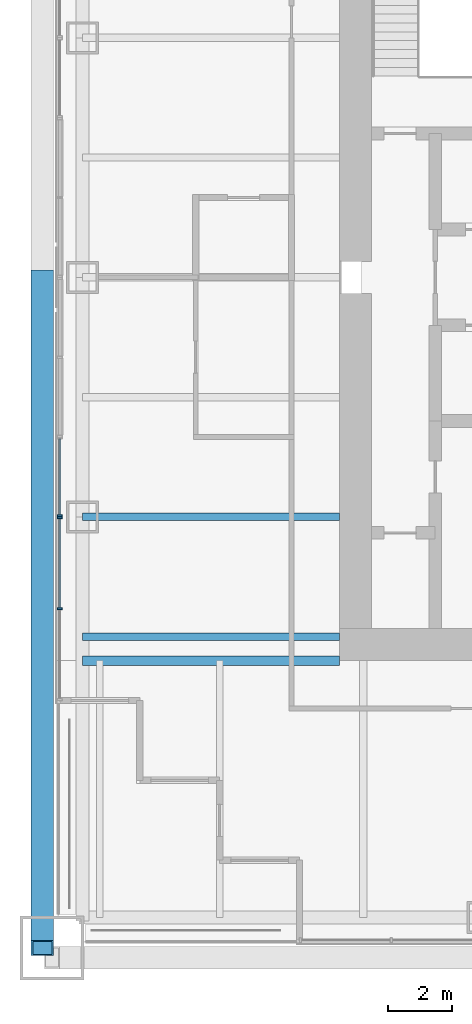
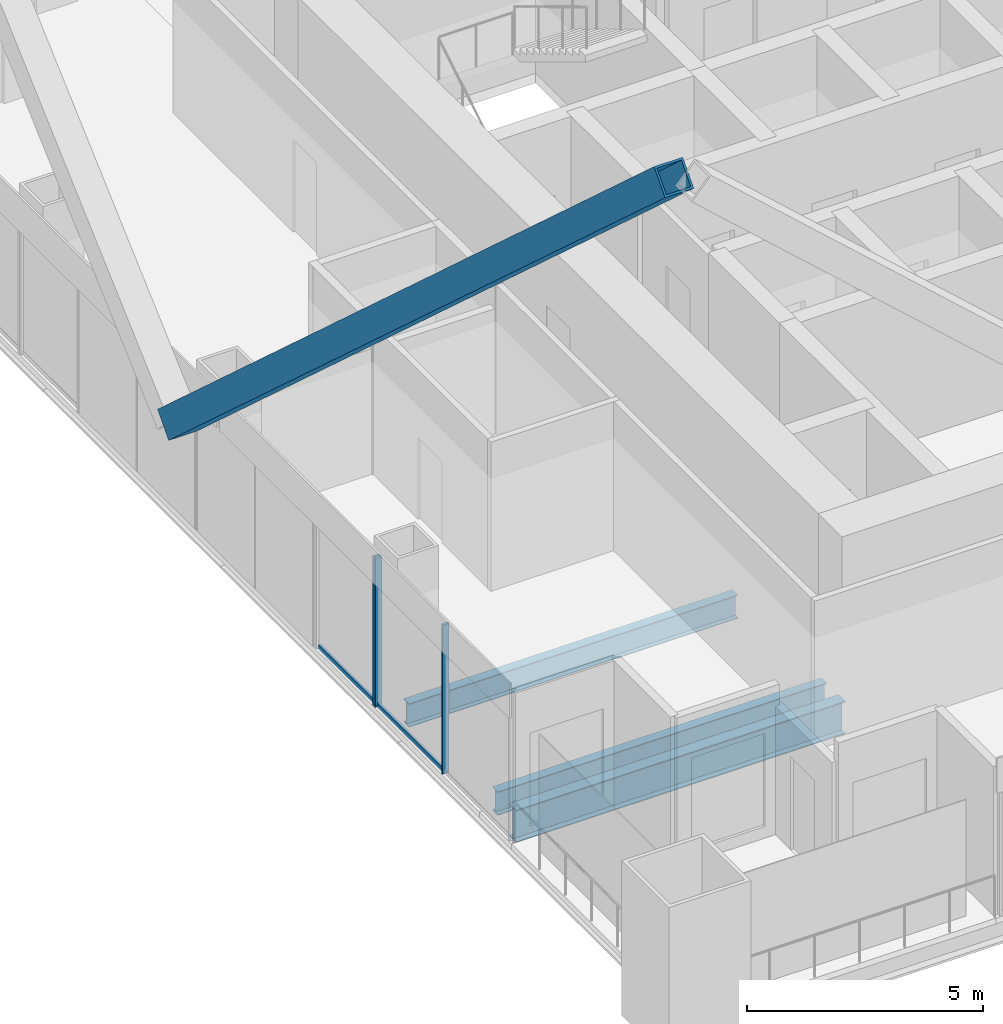
# One storey, part 3 of 19: 6 members, 3 beams, 2 elements without a shape of their own.
"""IFC4 building model written with IfcOpenShell, lengths in metres."""

from ifc_helpers import new_model, si_unit, direction, frame, origin, origin_2d, place, context, subcontext, project, spatial, rectangle, hollow_rectangle, i_section, extrude, material, material_profile, profile_set, type_object, element, aggregate, save


model = new_model("IFC4")

# Units and contexts
model_context = context("Model", 3, precision=1e-05, world=origin(), true_north=direction((0.0, 1.0)))
body_context = subcontext(model_context, "Body", "Model", "MODEL_VIEW")
ifc_project = project(units=[si_unit("LENGTHUNIT", "METRE"), si_unit("AREAUNIT", "SQUARE_METRE"), si_unit("VOLUMEUNIT", "CUBIC_METRE"), si_unit("PLANEANGLEUNIT", "RADIAN"), si_unit("MASSUNIT", "GRAM", prefix="KILO")], contexts=[model_context])

# Site, building, storey
site_placement = place(None, origin())
site = spatial("IfcSite", under=ifc_project, at=site_placement, CompositionType="ELEMENT")
building_placement = place(site_placement, origin())
building = spatial("IfcBuilding", under=site, at=building_placement, Name="Tarangal Relay Tower", CompositionType="ELEMENT")
storey_placement = place(building_placement, frame((0.0, 0.0, 275.89990234375)))
storey = spatial("IfcBuildingStorey", under=building, at=storey_placement, Name="L60", CompositionType="ELEMENT", Elevation=275.89990234375)

# Beams
ifc_material_1 = material(Name="Steel ASTM A992", Category="steel")
ifc_material_profile_1 = material_profile(ifc_material_1, i_section(OverallWidth=0.2919921875, OverallDepth=0.8408203125, WebThickness=0.0146484375, FlangeThickness=0.021728515625, at=origin_2d()), Name="W33X130")
ifc_profile_set_1 = profile_set([ifc_material_profile_1], Name="Steel ASTM A992")
beam_type_1 = type_object("IfcBeamType", Name="Corner girder W33X130", PredefinedType="BEAM", material=ifc_profile_set_1)
beam_placement = place(storey_placement, frame((-12.0, -12.0, -0.5703125), z_axis=(-1.0, 0.0, 0.0), x_axis=(0.0, -1.0, 0.0)))
element("IfcBeam", 1, at=beam_placement, inside=storey, type_object=beam_type_1, Name="Corner girder CG5 S L60", PredefinedType="BEAM", context=body_context, shape_type="SweptSolid", body=[
    extrude(i_section(OverallWidth=0.2919921875, OverallDepth=0.8408203125, WebThickness=0.0146484375, FlangeThickness=0.021728515625, at=origin_2d()), origin(), (0.0, 0.0, 1.0), 8.0400390625),
])
ifc_material_profile_2 = material_profile(ifc_material_1, i_section(OverallWidth=0.228271484375, OverallDepth=0.607177734375, WebThickness=0.01123046875, FlangeThickness=0.017333984375, at=origin_2d()), Name="W24X76")
ifc_profile_set_2 = profile_set([ifc_material_profile_2], Name="Steel ASTM A992")
beam_type_2 = type_object("IfcBeamType", Name="Floor beam W24X76", PredefinedType="BEAM", material=ifc_profile_set_2)
for number, where, z_axis, x_axis, name in (
    (2, (-12.0, -11.25, -0.453369140625), (-1.0, 0.0, 0.0), (0.0, -1.0, 0.0), "Floor beam RB5 W L60"),
    (3, (-12.0, -7.5, -0.453369140625), (-1.0, 0.0, 0.0), (0.0, -1.0, 0.0), "Floor beam RB5 W L60"),
):
    element("IfcBeam", number, at=place(storey_placement, frame(where, z_axis=z_axis, x_axis=x_axis)), inside=storey, type_object=beam_type_2, Name=name, PredefinedType="BEAM", context=body_context, shape_type="SweptSolid", body=[
        extrude(i_section(OverallWidth=0.228271484375, OverallDepth=0.607177734375, WebThickness=0.01123046875, FlangeThickness=0.017333984375, at=origin_2d()), origin(), (0.0, 0.0, 1.0), 8.0400390625),
    ])

# Member
ifc_material_2 = material(Name="Steel ASTM A572 Grade 50", Category="steel")
ifc_material_profile_3 = material_profile(ifc_material_2, hollow_rectangle(XDim=0.699951171875, YDim=0.699951171875, WallThickness=0.052001953125, at=origin_2d()), Name="BOX700X700X52")
ifc_profile_set_3 = profile_set([ifc_material_profile_3], Name="Steel ASTM A572 Grade 50")
member_type_1 = type_object("IfcMemberType", Name="Mega brace BOX700X700X52", PredefinedType="BRACE", material=ifc_profile_set_3)
member_1_placement = place(storey_placement, frame((-21.300048828125, 0.0, 3.0), z_axis=(0.0, -0.741535779124, 0.670913323969), x_axis=(1.0, 0.0, 0.0)))
element("IfcMember", 4, at=member_1_placement, inside=storey, type_object=member_type_1, Name="Mega brace MB4 W face module 1", PredefinedType="BRACE", context=body_context, shape_type="SweptSolid", body=[
    extrude(hollow_rectangle(XDim=0.699951171875, YDim=0.699951171875, WallThickness=0.052001953125, at=origin_2d()), origin(), (0.0, 0.0, 1.0), 28.319580078125),
])

# Curtain wall, members
ifc_material_3 = material(Name="Unitised curtain wall, dark glass and black aluminium", Category="aluminium")
curtain_wall_type = type_object("IfcCurtainWallType", Name="Curtain wall CW-B", PredefinedType="USERDEFINED", material=ifc_material_3)
curtain_wall_1_placement = place(storey_placement, origin())
curtain_wall_1 = element("IfcCurtainWall", 5, at=curtain_wall_1_placement, inside=storey, type_object=curtain_wall_type, Name="Curtain wall CW-B W facade L60", ObjectType="UNITISED CURTAIN WALL", PredefinedType="USERDEFINED")
ifc_material_4 = material(Name="Black anodised aluminium mullion", Category="aluminium")
ifc_material_profile_4 = material_profile(ifc_material_4, rectangle(XDim=0.159912109375, YDim=0.06005859375, at=origin_2d()), Name="CW-BM 60X160")
ifc_profile_set_4 = profile_set([ifc_material_profile_4], Name="Black anodised aluminium mullion")
member_type_2 = type_object("IfcMemberType", Name="Mullion CW-B 60 x 160", PredefinedType="MULLION", material=ifc_profile_set_4)
member_2_placement = place(storey_placement, frame((-20.75, -10.375, 0.0), z_axis=(0.0, 0.0, 1.0), x_axis=(-1.0, 0.0, 0.0)))
member_2 = element("IfcMember", 6, at=member_2_placement, type_object=member_type_2, Name="CW-B mullion 2", PredefinedType="MULLION", context=body_context, shape_type="SweptSolid", body=[
    extrude(rectangle(XDim=0.159912109375, YDim=0.06005859375, at=origin_2d()), origin(), (0.0, 0.0, 1.0), 3.85009765625),
])
member_3_placement = place(storey_placement, frame((-20.75, -7.530029296875, 0.0), z_axis=(0.0, 0.0, 1.0), x_axis=(-1.0, 0.0, 0.0)))
member_3 = element("IfcMember", 7, at=member_3_placement, type_object=member_type_2, Name="CW-B mullion 3", PredefinedType="MULLION", context=body_context, shape_type="SweptSolid", body=[
    extrude(rectangle(XDim=0.159912109375, YDim=0.06005859375, at=origin_2d()), origin(), (0.0, 0.0, 1.0), 3.85009765625),
])

# Curtain wall, member
curtain_wall_2_placement = place(storey_placement, origin())
curtain_wall_2 = element("IfcCurtainWall", 8, at=curtain_wall_2_placement, inside=storey, type_object=curtain_wall_type, Name="Curtain wall CW-B W facade L60", ObjectType="UNITISED CURTAIN WALL", PredefinedType="USERDEFINED")
member_4_placement = place(storey_placement, frame((-20.75, -7.469970703125, 0.0), z_axis=(0.0, 0.0, 1.0), x_axis=(-1.0, 0.0, 0.0)))
member_4 = element("IfcMember", 9, at=member_4_placement, type_object=member_type_2, Name="CW-B mullion 1", PredefinedType="MULLION", context=body_context, shape_type="SweptSolid", body=[
    extrude(rectangle(XDim=0.159912109375, YDim=0.06005859375, at=origin_2d()), origin(), (0.0, 0.0, 1.0), 3.85009765625),
])

# Member
ifc_material_5 = material(Name="Black anodised aluminium transom", Category="aluminium")
ifc_material_profile_5 = material_profile(ifc_material_5, rectangle(XDim=0.06005859375, YDim=0.1298828125, at=origin_2d()), Name="CW-BT 60X130")
ifc_profile_set_5 = profile_set([ifc_material_profile_5], Name="Black anodised aluminium transom")
member_type_3 = type_object("IfcMemberType", Name="Transom CW-B 60 x 130", PredefinedType="USERDEFINED", material=ifc_profile_set_5)
member_5_placement = place(storey_placement, frame((-20.75, -10.344970703125, 0.030029296875), z_axis=(0.0, 1.0, 0.0), x_axis=(-1.0, 0.0, 0.0)))
member_5 = element("IfcMember", 10, at=member_5_placement, type_object=member_type_3, Name="CW-B transom 2.1", ObjectType="TRANSOM", PredefinedType="USERDEFINED", context=body_context, shape_type="SweptSolid", body=[
    extrude(rectangle(XDim=0.06005859375, YDim=0.1298828125, at=origin_2d()), origin(), (0.0, 0.0, 1.0), 2.784912109375),
])

aggregate(curtain_wall_1, [member_2, member_3, member_5])

member_6_placement = place(storey_placement, frame((-20.75, -7.43994140625, 0.030029296875), z_axis=(0.0, 1.0, 0.0), x_axis=(-1.0, 0.0, 0.0)))
member_6 = element("IfcMember", 11, at=member_6_placement, type_object=member_type_3, Name="CW-B transom 1.1", ObjectType="TRANSOM", PredefinedType="USERDEFINED", context=body_context, shape_type="SweptSolid", body=[
    extrude(rectangle(XDim=0.06005859375, YDim=0.1298828125, at=origin_2d()), origin(), (0.0, 0.0, 1.0), 2.3798828125),
])

aggregate(curtain_wall_2, [member_4, member_6])

save(model, "model.ifc")
